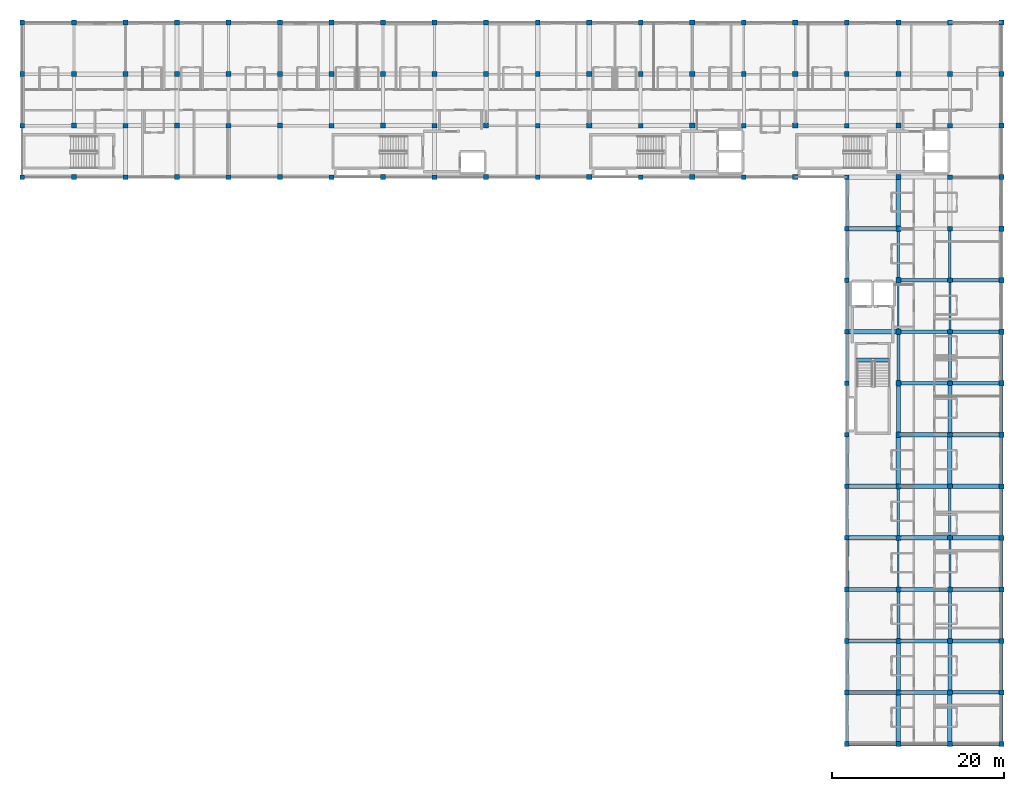
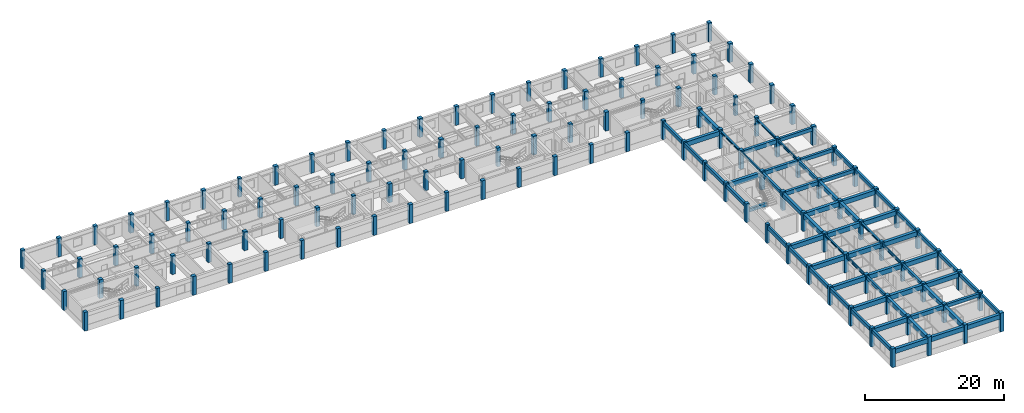
# One storey, part 1 of 21: 124 columns, 68 beams.
"""IFC4 building model written with IfcOpenShell, lengths in metres."""

from ifc_helpers import new_model, si_unit, direction, frame, origin, origin_2d, place, context, subcontext, project, spatial, rectangle, i_section, extrude, material, material_profile, profile_set, type_object, element, save


model = new_model("IFC4")

# Units and contexts
model_context = context("Model", 3, precision=1e-05, world=origin(), true_north=direction((0.0, 1.0)))
body_context = subcontext(model_context, "Body", "Model", "MODEL_VIEW")
ifc_project = project(units=[si_unit("LENGTHUNIT", "METRE"), si_unit("AREAUNIT", "SQUARE_METRE"), si_unit("VOLUMEUNIT", "CUBIC_METRE"), si_unit("PLANEANGLEUNIT", "RADIAN"), si_unit("MASSUNIT", "GRAM", prefix="KILO"), si_unit("THERMODYNAMICTEMPERATUREUNIT", "KELVIN"), si_unit("POWERUNIT", "WATT")], contexts=[model_context])

# Site, building, storey
site_placement = place(None, origin())
site = spatial("IfcSite", under=ifc_project, at=site_placement, CompositionType="ELEMENT")
building_placement = place(site_placement, origin())
building = spatial("IfcBuilding", under=site, at=building_placement, Name="Phaisarnlok Congress Hotel", CompositionType="ELEMENT")
storey_placement = place(building_placement, frame((0.0, 0.0, 31.5)))
storey = spatial("IfcBuildingStorey", under=building, at=storey_placement, Name="L07", CompositionType="ELEMENT", Elevation=31.5)

# Columns
ifc_material_1 = material(Name="Concrete C50/60", Category="concrete")
ifc_material_profile_1 = material_profile(ifc_material_1, rectangle(XDim=0.550048828125, YDim=0.550048828125, at=origin_2d()), Name="RC 550x550")
ifc_profile_set_1 = profile_set([ifc_material_profile_1], Name="Concrete C50/60")
column_type_1 = type_object("IfcColumnType", Name="COL-RC-550", PredefinedType="COLUMN", material=ifc_profile_set_1)
for number, where, z_axis, x_axis, name in (
    (1, (66.0, 108.0, 0.0), (0.0, 0.0, 1.0), (1.0, 0.0, 0.0), "Column C-02 (L07)"),
    (2, (66.0, 114.0, 0.0), (0.0, 0.0, 1.0), (1.0, 0.0, 0.0), "Column C-02 (L07)"),
    (3, (66.0, 120.0, 0.0), (0.0, 0.0, 1.0), (1.0, 0.0, 0.0), "Column C-02 (L07)"),
    (4, (78.0, 108.0, 0.0), (0.0, 0.0, 1.0), (1.0, 0.0, 0.0), "Column C-02 (L07)"),
    (5, (78.0, 114.0, 0.0), (0.0, 0.0, 1.0), (1.0, 0.0, 0.0), "Column C-02 (L07)"),
    (6, (78.0, 120.0, 0.0), (0.0, 0.0, 1.0), (1.0, 0.0, 0.0), "Column C-02 (L07)"),
    (7, (90.0, 108.0, 0.0), (0.0, 0.0, 1.0), (1.0, 0.0, 0.0), "Column C-02 (L07)"),
    (8, (90.0, 114.0, 0.0), (0.0, 0.0, 1.0), (1.0, 0.0, 0.0), "Column C-02 (L07)"),
    (9, (90.0, 120.0, 0.0), (0.0, 0.0, 1.0), (1.0, 0.0, 0.0), "Column C-02 (L07)"),
    (10, (102.0, 108.0, 0.0), (0.0, 0.0, 1.0), (1.0, 0.0, 0.0), "Column C-02 (L07)"),
    (11, (102.0, 114.0, 0.0), (0.0, 0.0, 1.0), (1.0, 0.0, 0.0), "Column C-02 (L07)"),
    (12, (102.0, 120.0, 0.0), (0.0, 0.0, 1.0), (1.0, 0.0, 0.0), "Column C-02 (L07)"),
    (13, (114.0, 108.0, 0.0), (0.0, 0.0, 1.0), (1.0, 0.0, 0.0), "Column C-02 (L07)"),
    (14, (114.0, 114.0, 0.0), (0.0, 0.0, 1.0), (1.0, 0.0, 0.0), "Column C-02 (L07)"),
    (15, (114.0, 120.0, 0.0), (0.0, 0.0, 1.0), (1.0, 0.0, 0.0), "Column C-02 (L07)"),
    (16, (126.0, 108.0, 0.0), (0.0, 0.0, 1.0), (1.0, 0.0, 0.0), "Column C-02 (L07)"),
    (17, (126.0, 114.0, 0.0), (0.0, 0.0, 1.0), (1.0, 0.0, 0.0), "Column C-02 (L07)"),
    (18, (126.0, 120.0, 0.0), (0.0, 0.0, 1.0), (1.0, 0.0, 0.0), "Column C-02 (L07)"),
    (19, (138.0, 108.0, 0.0), (0.0, 0.0, 1.0), (1.0, 0.0, 0.0), "Column C-02 (L07)"),
    (20, (138.0, 114.0, 0.0), (0.0, 0.0, 1.0), (1.0, 0.0, 0.0), "Column C-02 (L07)"),
    (21, (138.0, 120.0, 0.0), (0.0, 0.0, 1.0), (1.0, 0.0, 0.0), "Column C-02 (L07)"),
    (22, (150.0, 108.0, 0.0), (0.0, 0.0, 1.0), (1.0, 0.0, 0.0), "Column C-02 (L07)"),
    (23, (150.0, 114.0, 0.0), (0.0, 0.0, 1.0), (1.0, 0.0, 0.0), "Column C-02 (L07)"),
    (24, (150.0, 120.0, 0.0), (0.0, 0.0, 1.0), (1.0, 0.0, 0.0), "Column C-02 (L07)"),
    (25, (162.0, 42.0, 0.0), (0.0, 0.0, 1.0), (1.0, 0.0, 0.0), "Column C-02 (L07)"),
    (26, (162.0, 48.0, 0.0), (0.0, 0.0, 1.0), (1.0, 0.0, 0.0), "Column C-02 (L07)"),
    (27, (162.0, 54.0, 0.0), (0.0, 0.0, 1.0), (1.0, 0.0, 0.0), "Column C-02 (L07)"),
    (28, (162.0, 60.0, 0.0), (0.0, 0.0, 1.0), (1.0, 0.0, 0.0), "Column C-02 (L07)"),
    (29, (162.0, 66.0, 0.0), (0.0, 0.0, 1.0), (1.0, 0.0, 0.0), "Column C-02 (L07)"),
    (30, (162.0, 72.0, 0.0), (0.0, 0.0, 1.0), (1.0, 0.0, 0.0), "Column C-02 (L07)"),
    (31, (162.0, 78.0, 0.0), (0.0, 0.0, 1.0), (1.0, 0.0, 0.0), "Column C-02 (L07)"),
    (32, (162.0, 84.0, 0.0), (0.0, 0.0, 1.0), (1.0, 0.0, 0.0), "Column C-02 (L07)"),
    (33, (162.0, 90.0, 0.0), (0.0, 0.0, 1.0), (1.0, 0.0, 0.0), "Column C-02 (L07)"),
    (34, (162.0, 96.0, 0.0), (0.0, 0.0, 1.0), (1.0, 0.0, 0.0), "Column C-02 (L07)"),
    (35, (162.0, 102.0, 0.0), (0.0, 0.0, 1.0), (1.0, 0.0, 0.0), "Column C-02 (L07)"),
    (36, (162.0, 108.0, 0.0), (0.0, 0.0, 1.0), (1.0, 0.0, 0.0), "Column C-02 (L07)"),
    (37, (162.0, 114.0, 0.0), (0.0, 0.0, 1.0), (1.0, 0.0, 0.0), "Column C-02 (L07)"),
    (38, (162.0, 120.0, 0.0), (0.0, 0.0, 1.0), (1.0, 0.0, 0.0), "Column C-02 (L07)"),
    (39, (174.0, 42.0, 0.0), (0.0, 0.0, 1.0), (1.0, 0.0, 0.0), "Column C-02 (L07)"),
    (40, (174.0, 48.0, 0.0), (0.0, 0.0, 1.0), (1.0, 0.0, 0.0), "Column C-02 (L07)"),
    (41, (174.0, 54.0, 0.0), (0.0, 0.0, 1.0), (1.0, 0.0, 0.0), "Column C-02 (L07)"),
    (42, (174.0, 60.0, 0.0), (0.0, 0.0, 1.0), (1.0, 0.0, 0.0), "Column C-02 (L07)"),
    (43, (174.0, 66.0, 0.0), (0.0, 0.0, 1.0), (1.0, 0.0, 0.0), "Column C-02 (L07)"),
    (44, (174.0, 72.0, 0.0), (0.0, 0.0, 1.0), (1.0, 0.0, 0.0), "Column C-02 (L07)"),
    (45, (174.0, 78.0, 0.0), (0.0, 0.0, 1.0), (1.0, 0.0, 0.0), "Column C-02 (L07)"),
    (46, (174.0, 84.0, 0.0), (0.0, 0.0, 1.0), (1.0, 0.0, 0.0), "Column C-02 (L07)"),
    (47, (174.0, 90.0, 0.0), (0.0, 0.0, 1.0), (1.0, 0.0, 0.0), "Column C-02 (L07)"),
    (48, (174.0, 96.0, 0.0), (0.0, 0.0, 1.0), (1.0, 0.0, 0.0), "Column C-02 (L07)"),
    (49, (174.0, 102.0, 0.0), (0.0, 0.0, 1.0), (1.0, 0.0, 0.0), "Column C-02 (L07)"),
    (50, (174.0, 108.0, 0.0), (0.0, 0.0, 1.0), (1.0, 0.0, 0.0), "Column C-02 (L07)"),
    (51, (174.0, 114.0, 0.0), (0.0, 0.0, 1.0), (1.0, 0.0, 0.0), "Column C-02 (L07)"),
    (52, (174.0, 120.0, 0.0), (0.0, 0.0, 1.0), (1.0, 0.0, 0.0), "Column C-02 (L07)"),
):
    element("IfcColumn", number, at=place(storey_placement, frame(where, z_axis=z_axis, x_axis=x_axis)), inside=storey, type_object=column_type_1, Name=name, PredefinedType="COLUMN", context=body_context, shape_type="SweptSolid", body=[
        extrude(rectangle(XDim=0.550048828125, YDim=0.550048828125, at=origin_2d()), origin(), (0.0, 0.0, 1.0), 3.300048828125),
    ])
ifc_material_profile_2 = material_profile(ifc_material_1, rectangle(XDim=0.550048828125, YDim=0.550048828125, at=origin_2d()), Name="RC 550x550")
ifc_profile_set_2 = profile_set([ifc_material_profile_2], Name="Concrete C50/60")
column_type_2 = type_object("IfcColumnType", Name="COL-RC-550-EXT", PredefinedType="COLUMN", material=ifc_profile_set_2)
for number, where, z_axis, x_axis, name in (
    (53, (66.0, 126.0, 0.0), (0.0, 0.0, 1.0), (1.0, 0.0, 0.0), "Column C-02E (L07)"),
    (54, (78.0, 126.0, 0.0), (0.0, 0.0, 1.0), (1.0, 0.0, 0.0), "Column C-02E (L07)"),
    (55, (90.0, 126.0, 0.0), (0.0, 0.0, 1.0), (1.0, 0.0, 0.0), "Column C-02E (L07)"),
    (56, (102.0, 126.0, 0.0), (0.0, 0.0, 1.0), (1.0, 0.0, 0.0), "Column C-02E (L07)"),
    (57, (114.0, 126.0, 0.0), (0.0, 0.0, 1.0), (1.0, 0.0, 0.0), "Column C-02E (L07)"),
    (58, (126.0, 126.0, 0.0), (0.0, 0.0, 1.0), (1.0, 0.0, 0.0), "Column C-02E (L07)"),
    (59, (138.0, 126.0, 0.0), (0.0, 0.0, 1.0), (1.0, 0.0, 0.0), "Column C-02E (L07)"),
    (60, (150.0, 126.0, 0.0), (0.0, 0.0, 1.0), (1.0, 0.0, 0.0), "Column C-02E (L07)"),
    (61, (162.0, 126.0, 0.0), (0.0, 0.0, 1.0), (1.0, 0.0, 0.0), "Column C-02E (L07)"),
    (62, (174.0, 126.0, 0.0), (0.0, 0.0, 1.0), (1.0, 0.0, 0.0), "Column C-02E (L07)"),
):
    element("IfcColumn", number, at=place(storey_placement, frame(where, z_axis=z_axis, x_axis=x_axis)), inside=storey, type_object=column_type_2, Name=name, PredefinedType="COLUMN", context=body_context, shape_type="SweptSolid", body=[
        extrude(rectangle(XDim=0.550048828125, YDim=0.550048828125, at=origin_2d()), origin(), (0.0, 0.0, 1.0), 3.300048828125),
    ])
ifc_material_profile_3 = material_profile(ifc_material_1, rectangle(XDim=0.60009765625, YDim=0.60009765625, at=origin_2d()), Name="RC 600x600")
ifc_profile_set_3 = profile_set([ifc_material_profile_3], Name="Concrete C50/60")
column_type_3 = type_object("IfcColumnType", Name="COL-RC-600", PredefinedType="COLUMN", material=ifc_profile_set_3)
for number, where, z_axis, x_axis, name in (
    (63, (72.0, 108.0, 0.0), (0.0, 0.0, 1.0), (1.0, 0.0, 0.0), "Column C-03 (L07)"),
    (64, (72.0, 114.0, 0.0), (0.0, 0.0, 1.0), (1.0, 0.0, 0.0), "Column C-03 (L07)"),
    (65, (72.0, 120.0, 0.0), (0.0, 0.0, 1.0), (1.0, 0.0, 0.0), "Column C-03 (L07)"),
    (66, (84.0, 108.0, 0.0), (0.0, 0.0, 1.0), (1.0, 0.0, 0.0), "Column C-03 (L07)"),
    (67, (84.0, 114.0, 0.0), (0.0, 0.0, 1.0), (1.0, 0.0, 0.0), "Column C-03 (L07)"),
    (68, (84.0, 120.0, 0.0), (0.0, 0.0, 1.0), (1.0, 0.0, 0.0), "Column C-03 (L07)"),
    (69, (96.0, 108.0, 0.0), (0.0, 0.0, 1.0), (1.0, 0.0, 0.0), "Column C-03 (L07)"),
    (70, (96.0, 114.0, 0.0), (0.0, 0.0, 1.0), (1.0, 0.0, 0.0), "Column C-03 (L07)"),
    (71, (96.0, 120.0, 0.0), (0.0, 0.0, 1.0), (1.0, 0.0, 0.0), "Column C-03 (L07)"),
    (72, (108.0, 108.0, 0.0), (0.0, 0.0, 1.0), (1.0, 0.0, 0.0), "Column C-03 (L07)"),
    (73, (108.0, 114.0, 0.0), (0.0, 0.0, 1.0), (1.0, 0.0, 0.0), "Column C-03 (L07)"),
    (74, (108.0, 120.0, 0.0), (0.0, 0.0, 1.0), (1.0, 0.0, 0.0), "Column C-03 (L07)"),
    (75, (120.0, 108.0, 0.0), (0.0, 0.0, 1.0), (1.0, 0.0, 0.0), "Column C-03 (L07)"),
    (76, (120.0, 114.0, 0.0), (0.0, 0.0, 1.0), (1.0, 0.0, 0.0), "Column C-03 (L07)"),
    (77, (120.0, 120.0, 0.0), (0.0, 0.0, 1.0), (1.0, 0.0, 0.0), "Column C-03 (L07)"),
    (78, (132.0, 108.0, 0.0), (0.0, 0.0, 1.0), (1.0, 0.0, 0.0), "Column C-03 (L07)"),
    (79, (132.0, 114.0, 0.0), (0.0, 0.0, 1.0), (1.0, 0.0, 0.0), "Column C-03 (L07)"),
    (80, (132.0, 120.0, 0.0), (0.0, 0.0, 1.0), (1.0, 0.0, 0.0), "Column C-03 (L07)"),
    (81, (144.0, 108.0, 0.0), (0.0, 0.0, 1.0), (1.0, 0.0, 0.0), "Column C-03 (L07)"),
    (82, (144.0, 114.0, 0.0), (0.0, 0.0, 1.0), (1.0, 0.0, 0.0), "Column C-03 (L07)"),
    (83, (144.0, 120.0, 0.0), (0.0, 0.0, 1.0), (1.0, 0.0, 0.0), "Column C-03 (L07)"),
    (84, (156.0, 108.0, 0.0), (0.0, 0.0, 1.0), (1.0, 0.0, 0.0), "Column C-03 (L07)"),
    (85, (156.0, 114.0, 0.0), (0.0, 0.0, 1.0), (1.0, 0.0, 0.0), "Column C-03 (L07)"),
    (86, (156.0, 120.0, 0.0), (0.0, 0.0, 1.0), (1.0, 0.0, 0.0), "Column C-03 (L07)"),
    (87, (168.0, 42.0, 0.0), (0.0, 0.0, 1.0), (1.0, 0.0, 0.0), "Column C-03 (L07)"),
    (88, (168.0, 48.0, 0.0), (0.0, 0.0, 1.0), (1.0, 0.0, 0.0), "Column C-03 (L07)"),
    (89, (168.0, 54.0, 0.0), (0.0, 0.0, 1.0), (1.0, 0.0, 0.0), "Column C-03 (L07)"),
    (90, (168.0, 60.0, 0.0), (0.0, 0.0, 1.0), (1.0, 0.0, 0.0), "Column C-03 (L07)"),
    (91, (168.0, 66.0, 0.0), (0.0, 0.0, 1.0), (1.0, 0.0, 0.0), "Column C-03 (L07)"),
    (92, (168.0, 72.0, 0.0), (0.0, 0.0, 1.0), (1.0, 0.0, 0.0), "Column C-03 (L07)"),
    (93, (168.0, 78.0, 0.0), (0.0, 0.0, 1.0), (1.0, 0.0, 0.0), "Column C-03 (L07)"),
    (94, (168.0, 84.0, 0.0), (0.0, 0.0, 1.0), (1.0, 0.0, 0.0), "Column C-03 (L07)"),
    (95, (168.0, 90.0, 0.0), (0.0, 0.0, 1.0), (1.0, 0.0, 0.0), "Column C-03 (L07)"),
    (96, (168.0, 96.0, 0.0), (0.0, 0.0, 1.0), (1.0, 0.0, 0.0), "Column C-03 (L07)"),
    (97, (168.0, 102.0, 0.0), (0.0, 0.0, 1.0), (1.0, 0.0, 0.0), "Column C-03 (L07)"),
    (98, (168.0, 108.0, 0.0), (0.0, 0.0, 1.0), (1.0, 0.0, 0.0), "Column C-03 (L07)"),
    (99, (168.0, 114.0, 0.0), (0.0, 0.0, 1.0), (1.0, 0.0, 0.0), "Column C-03 (L07)"),
    (100, (168.0, 120.0, 0.0), (0.0, 0.0, 1.0), (1.0, 0.0, 0.0), "Column C-03 (L07)"),
):
    element("IfcColumn", number, at=place(storey_placement, frame(where, z_axis=z_axis, x_axis=x_axis)), inside=storey, type_object=column_type_3, Name=name, PredefinedType="COLUMN", context=body_context, shape_type="SweptSolid", body=[
        extrude(rectangle(XDim=0.60009765625, YDim=0.60009765625, at=origin_2d()), origin(), (0.0, 0.0, 1.0), 3.300048828125),
    ])
ifc_material_profile_4 = material_profile(ifc_material_1, rectangle(XDim=0.60009765625, YDim=0.60009765625, at=origin_2d()), Name="RC 600x600")
ifc_profile_set_4 = profile_set([ifc_material_profile_4], Name="Concrete C50/60")
column_type_4 = type_object("IfcColumnType", Name="COL-RC-600-EXT", PredefinedType="COLUMN", material=ifc_profile_set_4)
for number, where, z_axis, x_axis, name in (
    (101, (72.0, 126.0, 0.0), (0.0, 0.0, 1.0), (1.0, 0.0, 0.0), "Column C-03E (L07)"),
    (102, (84.0, 126.0, 0.0), (0.0, 0.0, 1.0), (1.0, 0.0, 0.0), "Column C-03E (L07)"),
    (103, (96.0, 126.0, 0.0), (0.0, 0.0, 1.0), (1.0, 0.0, 0.0), "Column C-03E (L07)"),
    (104, (108.0, 126.0, 0.0), (0.0, 0.0, 1.0), (1.0, 0.0, 0.0), "Column C-03E (L07)"),
    (105, (120.0, 126.0, 0.0), (0.0, 0.0, 1.0), (1.0, 0.0, 0.0), "Column C-03E (L07)"),
    (106, (132.0, 126.0, 0.0), (0.0, 0.0, 1.0), (1.0, 0.0, 0.0), "Column C-03E (L07)"),
    (107, (144.0, 126.0, 0.0), (0.0, 0.0, 1.0), (1.0, 0.0, 0.0), "Column C-03E (L07)"),
    (108, (156.0, 126.0, 0.0), (0.0, 0.0, 1.0), (1.0, 0.0, 0.0), "Column C-03E (L07)"),
    (109, (168.0, 126.0, 0.0), (0.0, 0.0, 1.0), (1.0, 0.0, 0.0), "Column C-03E (L07)"),
    (110, (180.0, 42.0, 0.0), (0.0, 0.0, 1.0), (1.0, 0.0, 0.0), "Column C-03E (L07)"),
    (111, (180.0, 48.0, 0.0), (0.0, 0.0, 1.0), (1.0, 0.0, 0.0), "Column C-03E (L07)"),
    (112, (180.0, 54.0, 0.0), (0.0, 0.0, 1.0), (1.0, 0.0, 0.0), "Column C-03E (L07)"),
    (113, (180.0, 60.0, 0.0), (0.0, 0.0, 1.0), (1.0, 0.0, 0.0), "Column C-03E (L07)"),
    (114, (180.0, 66.0, 0.0), (0.0, 0.0, 1.0), (1.0, 0.0, 0.0), "Column C-03E (L07)"),
    (115, (180.0, 72.0, 0.0), (0.0, 0.0, 1.0), (1.0, 0.0, 0.0), "Column C-03E (L07)"),
    (116, (180.0, 78.0, 0.0), (0.0, 0.0, 1.0), (1.0, 0.0, 0.0), "Column C-03E (L07)"),
    (117, (180.0, 84.0, 0.0), (0.0, 0.0, 1.0), (1.0, 0.0, 0.0), "Column C-03E (L07)"),
    (118, (180.0, 90.0, 0.0), (0.0, 0.0, 1.0), (1.0, 0.0, 0.0), "Column C-03E (L07)"),
    (119, (180.0, 96.0, 0.0), (0.0, 0.0, 1.0), (1.0, 0.0, 0.0), "Column C-03E (L07)"),
    (120, (180.0, 102.0, 0.0), (0.0, 0.0, 1.0), (1.0, 0.0, 0.0), "Column C-03E (L07)"),
    (121, (180.0, 108.0, 0.0), (0.0, 0.0, 1.0), (1.0, 0.0, 0.0), "Column C-03E (L07)"),
    (122, (180.0, 114.0, 0.0), (0.0, 0.0, 1.0), (1.0, 0.0, 0.0), "Column C-03E (L07)"),
    (123, (180.0, 120.0, 0.0), (0.0, 0.0, 1.0), (1.0, 0.0, 0.0), "Column C-03E (L07)"),
    (124, (180.0, 126.0, 0.0), (0.0, 0.0, 1.0), (1.0, 0.0, 0.0), "Column C-03E (L07)"),
):
    element("IfcColumn", number, at=place(storey_placement, frame(where, z_axis=z_axis, x_axis=x_axis)), inside=storey, type_object=column_type_4, Name=name, PredefinedType="COLUMN", context=body_context, shape_type="SweptSolid", body=[
        extrude(rectangle(XDim=0.60009765625, YDim=0.60009765625, at=origin_2d()), origin(), (0.0, 0.0, 1.0), 3.300048828125),
    ])

# Beams
ifc_material_2 = material(Name="Concrete C40/50", Category="concrete")
ifc_material_profile_5 = material_profile(ifc_material_2, rectangle(XDim=0.35009765625, YDim=0.550048828125, at=origin_2d()), Name="RC 350x550")
ifc_profile_set_5 = profile_set([ifc_material_profile_5], Name="Concrete C40/50")
beam_type_1 = type_object("IfcBeamType", Name="BM-RC-350x550", PredefinedType="BEAM", material=ifc_profile_set_5)
for number, where, z_axis, x_axis, name in (
    (125, (168.0, 54.294921875, 2.794921875), (0.0, 1.0, 0.0), (-1.0, 0.0, 0.0), "Beam B-01"),
    (126, (168.0, 84.294921875, 2.794921875), (0.0, 1.0, 0.0), (-1.0, 0.0, 0.0), "Beam B-01"),
):
    element("IfcBeam", number, at=place(storey_placement, frame(where, z_axis=z_axis, x_axis=x_axis)), inside=storey, type_object=beam_type_1, Name=name, PredefinedType="BEAM", context=body_context, shape_type="SweptSolid", body=[
        extrude(rectangle(XDim=0.35009765625, YDim=0.550048828125, at=origin_2d()), origin(), (0.0, 0.0, 1.0), 5.41015625),
    ])
for number, where, z_axis, x_axis, name in (
    (127, (174.0, 54.27001953125, 2.794921875), (0.0, 1.0, 0.0), (-1.0, 0.0, 0.0), "Beam B-01"),
    (128, (174.0, 84.27001953125, 2.794921875), (0.0, 1.0, 0.0), (-1.0, 0.0, 0.0), "Beam B-01"),
):
    element("IfcBeam", number, at=place(storey_placement, frame(where, z_axis=z_axis, x_axis=x_axis)), inside=storey, type_object=beam_type_1, Name=name, PredefinedType="BEAM", context=body_context, shape_type="SweptSolid", body=[
        extrude(rectangle(XDim=0.35009765625, YDim=0.550048828125, at=origin_2d()), origin(), (0.0, 0.0, 1.0), 5.4599609375),
    ])
ifc_material_profile_6 = material_profile(ifc_material_2, rectangle(XDim=0.39990234375, YDim=0.60009765625, at=origin_2d()), Name="RC 400x600")
ifc_profile_set_6 = profile_set([ifc_material_profile_6], Name="Concrete C40/50")
beam_type_2 = type_object("IfcBeamType", Name="BM-RC-400x600", PredefinedType="BEAM", material=ifc_profile_set_6)
for number, where, z_axis, x_axis, name in (
    (129, (174.27001953125, 48.0, 2.77001953125), (1.0, 0.0, 0.0), (0.0, 1.0, 0.0), "Beam B-02"),
    (130, (174.27001953125, 84.0, 2.77001953125), (1.0, 0.0, 0.0), (0.0, 1.0, 0.0), "Beam B-02"),
    (131, (174.27001953125, 90.0, 2.77001953125), (1.0, 0.0, 0.0), (0.0, 1.0, 0.0), "Beam B-02"),
    (132, (174.27001953125, 96.0, 2.77001953125), (1.0, 0.0, 0.0), (0.0, 1.0, 0.0), "Beam B-02"),
):
    element("IfcBeam", number, at=place(storey_placement, frame(where, z_axis=z_axis, x_axis=x_axis)), inside=storey, type_object=beam_type_2, Name=name, PredefinedType="BEAM", context=body_context, shape_type="SweptSolid", body=[
        extrude(rectangle(XDim=0.39990234375, YDim=0.60009765625, at=origin_2d()), origin(), (0.0, 0.0, 1.0), 5.43505859375),
    ])
beam_1_placement = place(storey_placement, frame((163.080078125, 86.719970703125, -0.300048828125), z_axis=(1.0, 0.0, 0.0), x_axis=(0.0, 1.0, 0.0)))
element("IfcBeam", 133, at=beam_1_placement, inside=storey, type_object=beam_type_2, Name="Stair landing header beam B-02 (CORE-3 L07)", PredefinedType="BEAM", context=body_context, shape_type="SweptSolid", body=[
    extrude(rectangle(XDim=0.39990234375, YDim=0.60009765625, at=origin_2d()), origin(), (0.0, 0.0, 1.0), 3.83984375),
])
ifc_material_profile_7 = material_profile(ifc_material_2, rectangle(XDim=0.449951171875, YDim=0.699951171875, at=origin_2d()), Name="RC 450x700")
ifc_profile_set_7 = profile_set([ifc_material_profile_7], Name="Concrete C40/50")
beam_type_3 = type_object("IfcBeamType", Name="BM-RC-450x700", PredefinedType="BEAM", material=ifc_profile_set_7)
beam_2_placement = place(storey_placement, frame((168.294921875, 48.0, 2.719970703125), z_axis=(1.0, 0.0, 0.0), x_axis=(0.0, 1.0, 0.0)))
element("IfcBeam", 134, at=beam_2_placement, inside=storey, type_object=beam_type_3, Name="Beam B-03", PredefinedType="BEAM", context=body_context, shape_type="SweptSolid", body=[
    extrude(rectangle(XDim=0.449951171875, YDim=0.699951171875, at=origin_2d()), origin(), (0.0, 0.0, 1.0), 5.43505859375),
])
for number, where, z_axis, x_axis, name in (
    (135, (168.0, 48.294921875, 2.719970703125), (0.0, 1.0, 0.0), (-1.0, 0.0, 0.0), "Beam B-03"),
    (136, (168.0, 78.294921875, 2.719970703125), (0.0, 1.0, 0.0), (-1.0, 0.0, 0.0), "Beam B-03"),
):
    element("IfcBeam", number, at=place(storey_placement, frame(where, z_axis=z_axis, x_axis=x_axis)), inside=storey, type_object=beam_type_3, Name=name, PredefinedType="BEAM", context=body_context, shape_type="SweptSolid", body=[
        extrude(rectangle(XDim=0.449951171875, YDim=0.699951171875, at=origin_2d()), origin(), (0.0, 0.0, 1.0), 5.41015625),
    ])
for number, where, z_axis, x_axis, name in (
    (137, (168.294921875, 84.0, 2.719970703125), (1.0, 0.0, 0.0), (0.0, 1.0, 0.0), "Beam B-03"),
    (138, (168.294921875, 90.0, 2.719970703125), (1.0, 0.0, 0.0), (0.0, 1.0, 0.0), "Beam B-03"),
    (139, (168.294921875, 96.0, 2.719970703125), (1.0, 0.0, 0.0), (0.0, 1.0, 0.0), "Beam B-03"),
):
    element("IfcBeam", number, at=place(storey_placement, frame(where, z_axis=z_axis, x_axis=x_axis)), inside=storey, type_object=beam_type_3, Name=name, PredefinedType="BEAM", context=body_context, shape_type="SweptSolid", body=[
        extrude(rectangle(XDim=0.449951171875, YDim=0.699951171875, at=origin_2d()), origin(), (0.0, 0.0, 1.0), 5.43505859375),
    ])
for number, where, z_axis, x_axis, name in (
    (140, (174.0, 48.27001953125, 2.719970703125), (0.0, 1.0, 0.0), (-1.0, 0.0, 0.0), "Beam B-03"),
    (141, (174.0, 78.27001953125, 2.719970703125), (0.0, 1.0, 0.0), (-1.0, 0.0, 0.0), "Beam B-03"),
):
    element("IfcBeam", number, at=place(storey_placement, frame(where, z_axis=z_axis, x_axis=x_axis)), inside=storey, type_object=beam_type_3, Name=name, PredefinedType="BEAM", context=body_context, shape_type="SweptSolid", body=[
        extrude(rectangle(XDim=0.449951171875, YDim=0.699951171875, at=origin_2d()), origin(), (0.0, 0.0, 1.0), 5.4599609375),
    ])
ifc_material_profile_8 = material_profile(ifc_material_2, rectangle(XDim=0.5, YDim=0.800048828125, at=origin_2d()), Name="RC 500x800")
ifc_profile_set_8 = profile_set([ifc_material_profile_8], Name="Concrete C40/50")
beam_type_4 = type_object("IfcBeamType", Name="BM-RC-500x800", PredefinedType="BEAM", material=ifc_profile_set_8)
for number, where, z_axis, x_axis, name in (
    (142, (162.27001953125, 48.0, 2.669921875), (1.0, 0.0, 0.0), (0.0, 1.0, 0.0), "Beam B-04"),
    (143, (162.27001953125, 54.0, 2.669921875), (1.0, 0.0, 0.0), (0.0, 1.0, 0.0), "Beam B-04"),
    (144, (162.27001953125, 60.0, 2.669921875), (1.0, 0.0, 0.0), (0.0, 1.0, 0.0), "Beam B-04"),
    (145, (162.27001953125, 66.0, 2.669921875), (1.0, 0.0, 0.0), (0.0, 1.0, 0.0), "Beam B-04"),
    (146, (162.27001953125, 72.0, 2.669921875), (1.0, 0.0, 0.0), (0.0, 1.0, 0.0), "Beam B-04"),
    (147, (162.27001953125, 90.0, 2.669921875), (1.0, 0.0, 0.0), (0.0, 1.0, 0.0), "Beam B-04"),
    (148, (162.27001953125, 102.0, 2.669921875), (1.0, 0.0, 0.0), (0.0, 1.0, 0.0), "Beam B-04"),
):
    element("IfcBeam", number, at=place(storey_placement, frame(where, z_axis=z_axis, x_axis=x_axis)), inside=storey, type_object=beam_type_4, Name=name, PredefinedType="BEAM", context=body_context, shape_type="SweptSolid", body=[
        extrude(rectangle(XDim=0.5, YDim=0.800048828125, at=origin_2d()), origin(), (0.0, 0.0, 1.0), 5.43505859375),
    ])
beam_3_placement = place(storey_placement, frame((168.0, 42.294921875, 2.669921875), z_axis=(0.0, 1.0, 0.0), x_axis=(-1.0, 0.0, 0.0)))
element("IfcBeam", 149, at=beam_3_placement, inside=storey, type_object=beam_type_4, Name="Beam B-04", PredefinedType="BEAM", context=body_context, shape_type="SweptSolid", body=[
    extrude(rectangle(XDim=0.5, YDim=0.800048828125, at=origin_2d()), origin(), (0.0, 0.0, 1.0), 5.41015625),
])
for number, where, z_axis, x_axis, name in (
    (150, (168.294921875, 54.0, 2.669921875), (1.0, 0.0, 0.0), (0.0, 1.0, 0.0), "Beam B-04"),
    (151, (168.294921875, 60.0, 2.669921875), (1.0, 0.0, 0.0), (0.0, 1.0, 0.0), "Beam B-04"),
    (152, (168.294921875, 66.0, 2.669921875), (1.0, 0.0, 0.0), (0.0, 1.0, 0.0), "Beam B-04"),
    (153, (168.294921875, 72.0, 2.669921875), (1.0, 0.0, 0.0), (0.0, 1.0, 0.0), "Beam B-04"),
):
    element("IfcBeam", number, at=place(storey_placement, frame(where, z_axis=z_axis, x_axis=x_axis)), inside=storey, type_object=beam_type_4, Name=name, PredefinedType="BEAM", context=body_context, shape_type="SweptSolid", body=[
        extrude(rectangle(XDim=0.5, YDim=0.800048828125, at=origin_2d()), origin(), (0.0, 0.0, 1.0), 5.43505859375),
    ])
beam_4_placement = place(storey_placement, frame((168.0, 72.294921875, 2.669921875), z_axis=(0.0, 1.0, 0.0), x_axis=(-1.0, 0.0, 0.0)))
element("IfcBeam", 154, at=beam_4_placement, inside=storey, type_object=beam_type_4, Name="Beam B-04", PredefinedType="BEAM", context=body_context, shape_type="SweptSolid", body=[
    extrude(rectangle(XDim=0.5, YDim=0.800048828125, at=origin_2d()), origin(), (0.0, 0.0, 1.0), 5.41015625),
])
beam_5_placement = place(storey_placement, frame((168.294921875, 78.0, 2.669921875), z_axis=(1.0, 0.0, 0.0), x_axis=(0.0, 1.0, 0.0)))
element("IfcBeam", 155, at=beam_5_placement, inside=storey, type_object=beam_type_4, Name="Beam B-04", PredefinedType="BEAM", context=body_context, shape_type="SweptSolid", body=[
    extrude(rectangle(XDim=0.5, YDim=0.800048828125, at=origin_2d()), origin(), (0.0, 0.0, 1.0), 5.43505859375),
])
beam_6_placement = place(storey_placement, frame((168.0, 102.294921875, 2.669921875), z_axis=(0.0, 1.0, 0.0), x_axis=(-1.0, 0.0, 0.0)))
element("IfcBeam", 156, at=beam_6_placement, inside=storey, type_object=beam_type_4, Name="Beam B-04", PredefinedType="BEAM", context=body_context, shape_type="SweptSolid", body=[
    extrude(rectangle(XDim=0.5, YDim=0.800048828125, at=origin_2d()), origin(), (0.0, 0.0, 1.0), 5.41015625),
])
beam_7_placement = place(storey_placement, frame((174.0, 42.27001953125, 2.669921875), z_axis=(0.0, 1.0, 0.0), x_axis=(-1.0, 0.0, 0.0)))
element("IfcBeam", 157, at=beam_7_placement, inside=storey, type_object=beam_type_4, Name="Beam B-04", PredefinedType="BEAM", context=body_context, shape_type="SweptSolid", body=[
    extrude(rectangle(XDim=0.5, YDim=0.800048828125, at=origin_2d()), origin(), (0.0, 0.0, 1.0), 5.4599609375),
])
for number, where, z_axis, x_axis, name in (
    (158, (174.27001953125, 54.0, 2.669921875), (1.0, 0.0, 0.0), (0.0, 1.0, 0.0), "Beam B-04"),
    (159, (174.27001953125, 60.0, 2.669921875), (1.0, 0.0, 0.0), (0.0, 1.0, 0.0), "Beam B-04"),
    (160, (174.27001953125, 66.0, 2.669921875), (1.0, 0.0, 0.0), (0.0, 1.0, 0.0), "Beam B-04"),
    (161, (174.27001953125, 72.0, 2.669921875), (1.0, 0.0, 0.0), (0.0, 1.0, 0.0), "Beam B-04"),
):
    element("IfcBeam", number, at=place(storey_placement, frame(where, z_axis=z_axis, x_axis=x_axis)), inside=storey, type_object=beam_type_4, Name=name, PredefinedType="BEAM", context=body_context, shape_type="SweptSolid", body=[
        extrude(rectangle(XDim=0.5, YDim=0.800048828125, at=origin_2d()), origin(), (0.0, 0.0, 1.0), 5.43505859375),
    ])
beam_8_placement = place(storey_placement, frame((174.0, 72.27001953125, 2.669921875), z_axis=(0.0, 1.0, 0.0), x_axis=(-1.0, 0.0, 0.0)))
element("IfcBeam", 162, at=beam_8_placement, inside=storey, type_object=beam_type_4, Name="Beam B-04", PredefinedType="BEAM", context=body_context, shape_type="SweptSolid", body=[
    extrude(rectangle(XDim=0.5, YDim=0.800048828125, at=origin_2d()), origin(), (0.0, 0.0, 1.0), 5.4599609375),
])
beam_9_placement = place(storey_placement, frame((174.27001953125, 78.0, 2.669921875), z_axis=(1.0, 0.0, 0.0), x_axis=(0.0, 1.0, 0.0)))
element("IfcBeam", 163, at=beam_9_placement, inside=storey, type_object=beam_type_4, Name="Beam B-04", PredefinedType="BEAM", context=body_context, shape_type="SweptSolid", body=[
    extrude(rectangle(XDim=0.5, YDim=0.800048828125, at=origin_2d()), origin(), (0.0, 0.0, 1.0), 5.43505859375),
])
ifc_material_3 = material(Name="Steel S355", Category="steel")
ifc_material_profile_9 = material_profile(ifc_material_3, i_section(OverallWidth=0.300048828125, OverallDepth=0.340087890625, WebThickness=0.011962890625, FlangeThickness=0.021484375, FilletRadius=0.027099609375, at=origin_2d()), Name="HEB 340")
ifc_profile_set_9 = profile_set([ifc_material_profile_9], Name="Steel S355")
beam_type_5 = type_object("IfcBeamType", Name="BM-STL-HEB340", PredefinedType="BEAM", material=ifc_profile_set_9)
for number, where, z_axis, x_axis, name in (
    (164, (168.0, 66.294921875, 2.89990234375), (0.0, 1.0, 0.0), (-1.0, 0.0, 0.0), "Beam SB-07"),
    (165, (168.0, 96.294921875, 2.89990234375), (0.0, 1.0, 0.0), (-1.0, 0.0, 0.0), "Beam SB-07"),
):
    element("IfcBeam", number, at=place(storey_placement, frame(where, z_axis=z_axis, x_axis=x_axis)), inside=storey, type_object=beam_type_5, Name=name, PredefinedType="BEAM", context=body_context, shape_type="SweptSolid", body=[
        extrude(i_section(OverallWidth=0.300048828125, OverallDepth=0.340087890625, WebThickness=0.011962890625, FlangeThickness=0.021484375, FilletRadius=0.027099609375, at=origin_2d()), origin(), (0.0, 0.0, 1.0), 5.41015625),
    ])
for number, where, z_axis, x_axis, name in (
    (166, (174.0, 66.27001953125, 2.89990234375), (0.0, 1.0, 0.0), (-1.0, 0.0, 0.0), "Beam SB-07"),
    (167, (174.0, 96.27001953125, 2.89990234375), (0.0, 1.0, 0.0), (-1.0, 0.0, 0.0), "Beam SB-07"),
):
    element("IfcBeam", number, at=place(storey_placement, frame(where, z_axis=z_axis, x_axis=x_axis)), inside=storey, type_object=beam_type_5, Name=name, PredefinedType="BEAM", context=body_context, shape_type="SweptSolid", body=[
        extrude(i_section(OverallWidth=0.300048828125, OverallDepth=0.340087890625, WebThickness=0.011962890625, FlangeThickness=0.021484375, FilletRadius=0.027099609375, at=origin_2d()), origin(), (0.0, 0.0, 1.0), 5.4599609375),
    ])
ifc_material_profile_10 = material_profile(ifc_material_3, i_section(OverallWidth=0.199951171875, OverallDepth=0.5, WebThickness=0.01025390625, FlangeThickness=0.01611328125, FilletRadius=0.02099609375, at=origin_2d()), Name="IPE 500")
ifc_profile_set_10 = profile_set([ifc_material_profile_10], Name="Steel S355")
beam_type_6 = type_object("IfcBeamType", Name="BM-STL-IPE500", PredefinedType="BEAM", material=ifc_profile_set_10)
for number, where, z_axis, x_axis, name in (
    (168, (168.0, 60.294921875, 2.820068359375), (0.0, 1.0, 0.0), (-1.0, 0.0, 0.0), "Beam SB-02"),
    (169, (168.0, 90.294921875, 2.820068359375), (0.0, 1.0, 0.0), (-1.0, 0.0, 0.0), "Beam SB-02"),
):
    element("IfcBeam", number, at=place(storey_placement, frame(where, z_axis=z_axis, x_axis=x_axis)), inside=storey, type_object=beam_type_6, Name=name, PredefinedType="BEAM", context=body_context, shape_type="SweptSolid", body=[
        extrude(i_section(OverallWidth=0.199951171875, OverallDepth=0.5, WebThickness=0.01025390625, FlangeThickness=0.01611328125, FilletRadius=0.02099609375, at=origin_2d()), origin(), (0.0, 0.0, 1.0), 5.41015625),
    ])
for number, where, z_axis, x_axis, name in (
    (170, (174.0, 60.27001953125, 2.820068359375), (0.0, 1.0, 0.0), (-1.0, 0.0, 0.0), "Beam SB-02"),
    (171, (174.0, 90.27001953125, 2.820068359375), (0.0, 1.0, 0.0), (-1.0, 0.0, 0.0), "Beam SB-02"),
):
    element("IfcBeam", number, at=place(storey_placement, frame(where, z_axis=z_axis, x_axis=x_axis)), inside=storey, type_object=beam_type_6, Name=name, PredefinedType="BEAM", context=body_context, shape_type="SweptSolid", body=[
        extrude(i_section(OverallWidth=0.199951171875, OverallDepth=0.5, WebThickness=0.01025390625, FlangeThickness=0.01611328125, FilletRadius=0.02099609375, at=origin_2d()), origin(), (0.0, 0.0, 1.0), 5.4599609375),
    ])
ifc_material_profile_11 = material_profile(ifc_material_2, rectangle(XDim=0.35009765625, YDim=0.64990234375, at=origin_2d()), Name="RC 350x650")
ifc_profile_set_11 = profile_set([ifc_material_profile_11], Name="Concrete C40/50")
beam_type_7 = type_object("IfcBeamType", Name="SP-RC-350x650", PredefinedType="SPANDREL", material=ifc_profile_set_11)
for number, where, z_axis, x_axis, name in (
    (172, (162.0, 42.27001953125, 2.7451171875), (0.0, 1.0, 0.0), (-1.0, 0.0, 0.0), "Beam SP-01"),
    (173, (162.0, 48.27001953125, 2.7451171875), (0.0, 1.0, 0.0), (-1.0, 0.0, 0.0), "Beam SP-01"),
    (174, (162.0, 54.27001953125, 2.7451171875), (0.0, 1.0, 0.0), (-1.0, 0.0, 0.0), "Beam SP-01"),
    (175, (162.0, 60.27001953125, 2.7451171875), (0.0, 1.0, 0.0), (-1.0, 0.0, 0.0), "Beam SP-01"),
    (176, (162.0, 66.27001953125, 2.7451171875), (0.0, 1.0, 0.0), (-1.0, 0.0, 0.0), "Beam SP-01"),
    (177, (162.0, 72.27001953125, 2.7451171875), (0.0, 1.0, 0.0), (-1.0, 0.0, 0.0), "Beam SP-01"),
    (178, (162.0, 84.27001953125, 2.7451171875), (0.0, 1.0, 0.0), (-1.0, 0.0, 0.0), "Beam SP-01"),
    (179, (162.0, 90.27001953125, 2.7451171875), (0.0, 1.0, 0.0), (-1.0, 0.0, 0.0), "Beam SP-01"),
    (180, (162.0, 96.27001953125, 2.7451171875), (0.0, 1.0, 0.0), (-1.0, 0.0, 0.0), "Beam SP-01"),
    (181, (162.0, 102.27001953125, 2.7451171875), (0.0, 1.0, 0.0), (-1.0, 0.0, 0.0), "Beam SP-01"),
):
    element("IfcBeam", number, at=place(storey_placement, frame(where, z_axis=z_axis, x_axis=x_axis)), inside=storey, type_object=beam_type_7, Name=name, PredefinedType="SPANDREL", context=body_context, shape_type="SweptSolid", body=[
        extrude(rectangle(XDim=0.35009765625, YDim=0.64990234375, at=origin_2d()), origin(), (0.0, 0.0, 1.0), 5.4599609375),
    ])
for number, where, z_axis, x_axis, name in (
    (182, (180.0, 42.294921875, 2.7451171875), (0.0, 1.0, 0.0), (-1.0, 0.0, 0.0), "Beam SP-01"),
    (183, (180.0, 48.294921875, 2.7451171875), (0.0, 1.0, 0.0), (-1.0, 0.0, 0.0), "Beam SP-01"),
    (184, (180.0, 54.294921875, 2.7451171875), (0.0, 1.0, 0.0), (-1.0, 0.0, 0.0), "Beam SP-01"),
    (185, (180.0, 60.294921875, 2.7451171875), (0.0, 1.0, 0.0), (-1.0, 0.0, 0.0), "Beam SP-01"),
    (186, (180.0, 66.294921875, 2.7451171875), (0.0, 1.0, 0.0), (-1.0, 0.0, 0.0), "Beam SP-01"),
    (187, (180.0, 72.294921875, 2.7451171875), (0.0, 1.0, 0.0), (-1.0, 0.0, 0.0), "Beam SP-01"),
    (188, (180.0, 78.294921875, 2.7451171875), (0.0, 1.0, 0.0), (-1.0, 0.0, 0.0), "Beam SP-01"),
    (189, (180.0, 84.294921875, 2.7451171875), (0.0, 1.0, 0.0), (-1.0, 0.0, 0.0), "Beam SP-01"),
):
    element("IfcBeam", number, at=place(storey_placement, frame(where, z_axis=z_axis, x_axis=x_axis)), inside=storey, type_object=beam_type_7, Name=name, PredefinedType="SPANDREL", context=body_context, shape_type="SweptSolid", body=[
        extrude(rectangle(XDim=0.35009765625, YDim=0.64990234375, at=origin_2d()), origin(), (0.0, 0.0, 1.0), 5.41015625),
    ])
ifc_material_profile_12 = material_profile(ifc_material_2, rectangle(XDim=0.5, YDim=0.800048828125, at=origin_2d()), Name="RC 500x800")
ifc_profile_set_12 = profile_set([ifc_material_profile_12], Name="Concrete C40/50")
beam_type_8 = type_object("IfcBeamType", Name="SP-RC-500x800", PredefinedType="SPANDREL", material=ifc_profile_set_12)
for number, where, z_axis, x_axis, name in (
    (190, (162.27001953125, 42.0, 2.669921875), (1.0, 0.0, 0.0), (0.0, 1.0, 0.0), "Beam SP-04"),
    (191, (168.294921875, 42.0, 2.669921875), (1.0, 0.0, 0.0), (0.0, 1.0, 0.0), "Beam SP-04"),
    (192, (174.27001953125, 42.0, 2.669921875), (1.0, 0.0, 0.0), (0.0, 1.0, 0.0), "Beam SP-04"),
):
    element("IfcBeam", number, at=place(storey_placement, frame(where, z_axis=z_axis, x_axis=x_axis)), inside=storey, type_object=beam_type_8, Name=name, PredefinedType="SPANDREL", context=body_context, shape_type="SweptSolid", body=[
        extrude(rectangle(XDim=0.5, YDim=0.800048828125, at=origin_2d()), origin(), (0.0, 0.0, 1.0), 5.43505859375),
    ])

save(model, "model.ifc")
